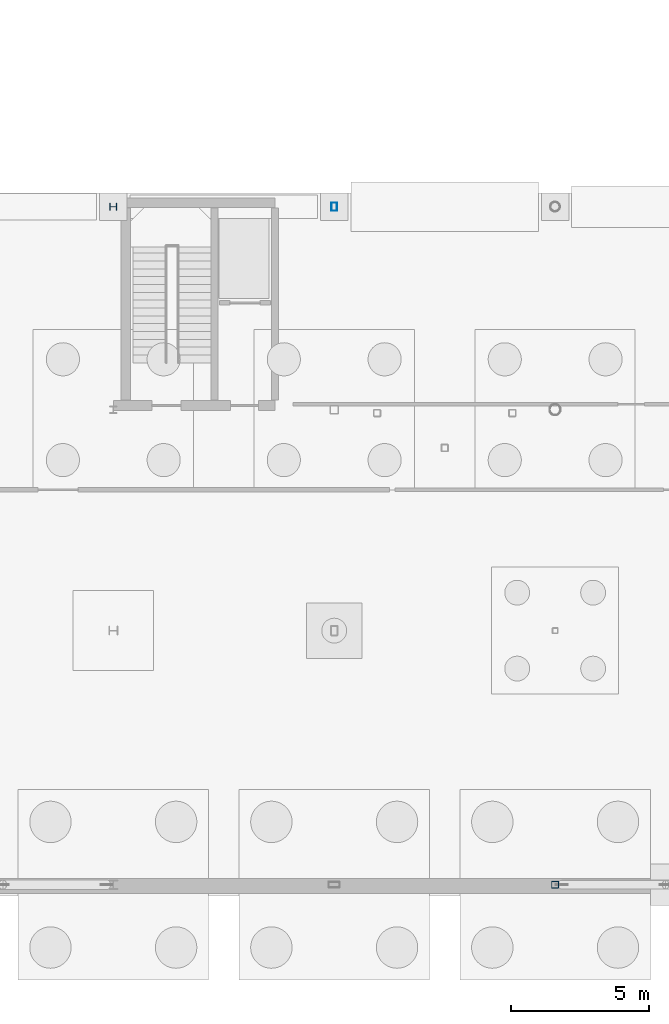
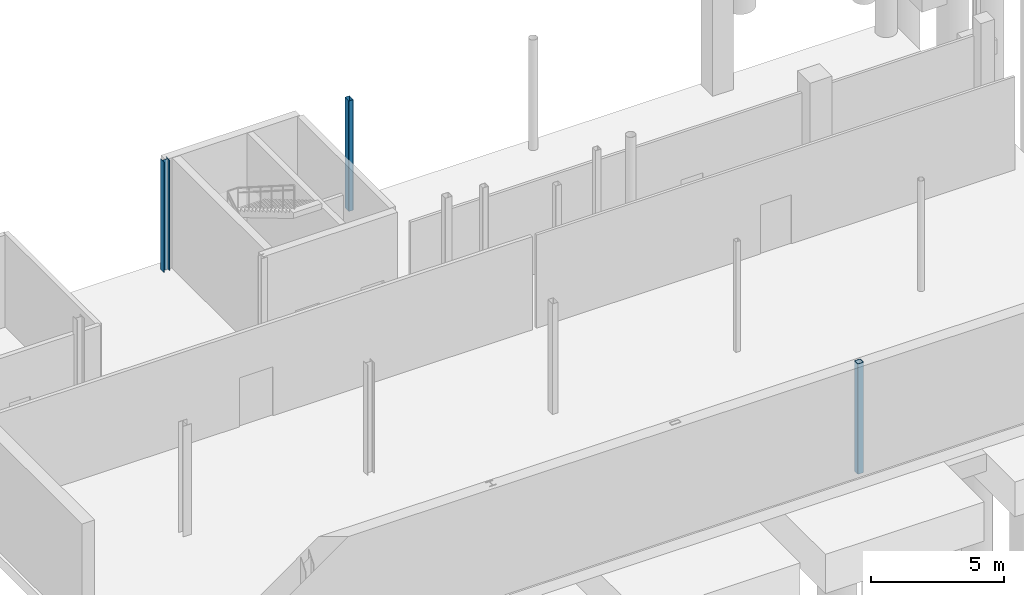
# One storey, part 5 of 33: 3 columns.
"""IFC4 building model written with IfcOpenShell, lengths in metres."""

from ifc_helpers import new_model, si_unit, direction, frame, origin, origin_2d, place, context, subcontext, project, spatial, hollow_rectangle, i_section, extrude, material, material_profile, profile_set, type_object, element, save


model = new_model("IFC4")

# Units and contexts
model_context = context("Model", 3, precision=1e-05, world=origin(), true_north=direction((0.0, 1.0)))
body_context = subcontext(model_context, "Body", "Model", "MODEL_VIEW")
ifc_project = project(units=[si_unit("LENGTHUNIT", "METRE"), si_unit("AREAUNIT", "SQUARE_METRE"), si_unit("VOLUMEUNIT", "CUBIC_METRE"), si_unit("PLANEANGLEUNIT", "RADIAN"), si_unit("MASSUNIT", "GRAM", prefix="KILO")], contexts=[model_context])

# Site, building, storey
site_placement = place(None, origin())
site = spatial("IfcSite", under=ifc_project, at=site_placement, CompositionType="ELEMENT")
building_placement = place(site_placement, origin())
building = spatial("IfcBuilding", under=site, at=building_placement, Name="Brisemont Oceanarium", CompositionType="ELEMENT")
storey_placement = place(building_placement, frame((0.0, 0.0, -5.39990234375)))
storey = spatial("IfcBuildingStorey", under=building, at=storey_placement, Name="B01", CompositionType="ELEMENT", Elevation=-5.39990234375)

# Columns
ifc_material_1 = material(Name="Structural Steel ASTM A500 Gr.C", Category="steel")
ifc_material_profile_1 = material_profile(ifc_material_1, hollow_rectangle(XDim=0.25390625, YDim=0.25390625, WallThickness=0.01171875, InnerFilletRadius=0.01220703125, OuterFilletRadius=0.02392578125, at=origin_2d()), Name="HSS10X10X1/2")
ifc_profile_set_1 = profile_set([ifc_material_profile_1], Name="Structural Steel ASTM A500 Gr.C")
column_type_1 = type_object("IfcColumnType", Name="COL-HSS10X10", PredefinedType="COLUMN", material=ifc_profile_set_1)
column_1_placement = place(storey_placement, frame((40.0, 6.800048828125, 0.0), z_axis=(0.0, 0.0, 1.0), x_axis=(1.0, 0.0, 0.0)))
element("IfcColumn", 1, at=column_1_placement, inside=storey, type_object=column_type_1, Name="V2 B01 column (4,0)", PredefinedType="COLUMN", context=body_context, shape_type="SweptSolid", body=[
    extrude(hollow_rectangle(XDim=0.25390625, YDim=0.25390625, WallThickness=0.01171875, InnerFilletRadius=0.01220703125, OuterFilletRadius=0.02392578125, at=origin_2d()), origin(), (0.0, 0.0, 1.0), 5.079833984375),
])
ifc_material_2 = material(Name="Structural Steel ASTM A500 Gr.C", Category="steel")
ifc_material_profile_2 = material_profile(ifc_material_2, hollow_rectangle(XDim=0.202880859375, YDim=0.304931640625, WallThickness=0.0087890625, InnerFilletRadius=0.009033203125, OuterFilletRadius=0.01806640625, at=origin_2d()), Name="HSS12X8X3/8")
ifc_profile_set_2 = profile_set([ifc_material_profile_2], Name="Structural Steel ASTM A500 Gr.C")
column_type_2 = type_object("IfcColumnType", Name="COL-HSS12X8", PredefinedType="COLUMN", material=ifc_profile_set_2)
column_2_placement = place(storey_placement, frame((32.0, 31.35009765625, 0.0), z_axis=(0.0, 0.0, 1.0), x_axis=(1.0, 0.0, 0.0)))
element("IfcColumn", 2, at=column_2_placement, inside=storey, type_object=column_type_2, Name="V2 B01 column (3,3)", PredefinedType="COLUMN", context=body_context, shape_type="SweptSolid", body=[
    extrude(hollow_rectangle(XDim=0.202880859375, YDim=0.304931640625, WallThickness=0.0087890625, InnerFilletRadius=0.009033203125, OuterFilletRadius=0.01806640625, at=origin_2d()), origin(), (0.0, 0.0, 1.0), 5.079833984375),
])
ifc_material_3 = material(Name="Structural Steel ASTM A992 Gr.50", Category="steel")
ifc_material_profile_3 = material_profile(ifc_material_3, i_section(OverallWidth=0.25390625, OverallDepth=0.25390625, WebThickness=0.008544921875, FlangeThickness=0.01416015625, FilletRadius=0.010986328125, at=origin_2d()), Name="W10X49")
ifc_profile_set_3 = profile_set([ifc_material_profile_3], Name="Structural Steel ASTM A992 Gr.50")
column_type_3 = type_object("IfcColumnType", Name="COL-W10X49", PredefinedType="COLUMN", material=ifc_profile_set_3)
column_3_placement = place(storey_placement, frame((24.0, 31.35009765625, 0.0), z_axis=(0.0, 0.0, 1.0), x_axis=(0.0, 1.0, 0.0)))
element("IfcColumn", 3, at=column_3_placement, inside=storey, type_object=column_type_3, Name="V2 B01 column (2,3)", PredefinedType="COLUMN", context=body_context, shape_type="SweptSolid", body=[
    extrude(i_section(OverallWidth=0.25390625, OverallDepth=0.25390625, WebThickness=0.008544921875, FlangeThickness=0.01416015625, FilletRadius=0.010986328125, at=origin_2d()), origin(), (0.0, 0.0, 1.0), 5.079833984375),
])

save(model, "model.ifc")
